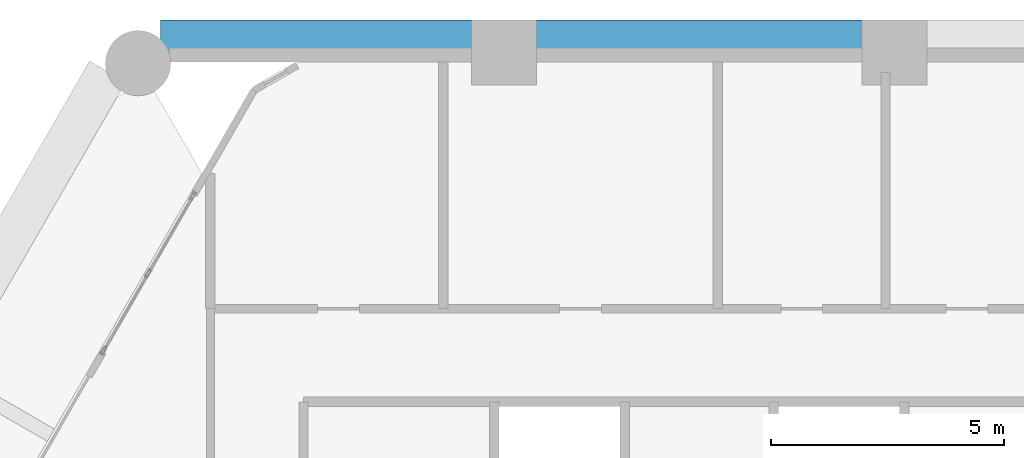
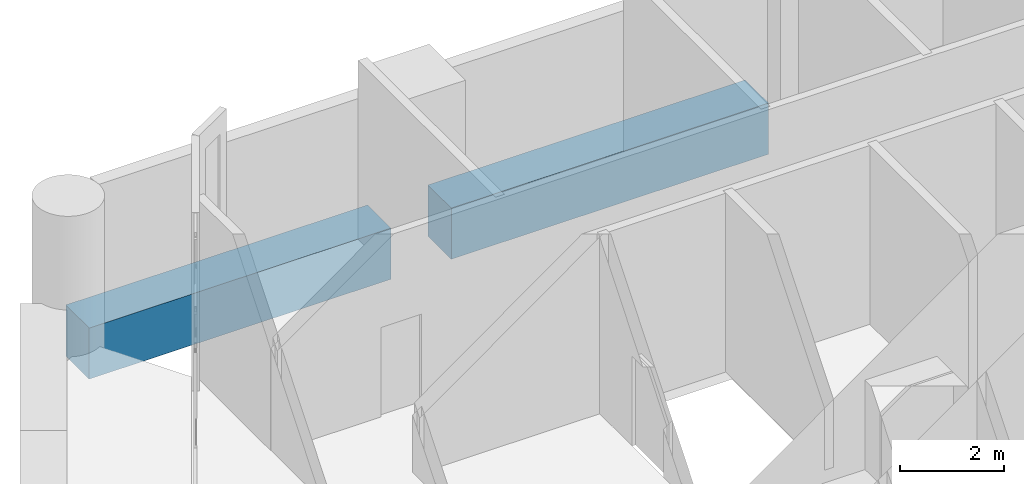
# One storey, part 10 of 18: 2 beams.
"""IFC4 building model written with IfcOpenShell, lengths in metres."""

from ifc_helpers import new_model, si_unit, direction, frame, origin, origin_2d, place, context, subcontext, project, spatial, rectangle, extrude, material, material_profile, profile_set, type_object, element, save


model = new_model("IFC4")

# Units and contexts
model_context = context("Model", 3, precision=1e-05, world=origin(), true_north=direction((0.0, 1.0)))
body_context = subcontext(model_context, "Body", "Model", "MODEL_VIEW")
ifc_project = project(units=[si_unit("LENGTHUNIT", "METRE"), si_unit("AREAUNIT", "SQUARE_METRE"), si_unit("VOLUMEUNIT", "CUBIC_METRE"), si_unit("PLANEANGLEUNIT", "RADIAN"), si_unit("MASSUNIT", "GRAM", prefix="KILO")], contexts=[model_context])

# Site, building, storey
site_placement = place(None, origin())
site = spatial("IfcSite", under=ifc_project, at=site_placement, CompositionType="ELEMENT")
building_placement = place(site_placement, origin())
building = spatial("IfcBuilding", under=site, at=building_placement, Name="Ostrander Bayou Hotel Tower", CompositionType="ELEMENT")
storey_placement = place(building_placement, frame((0.0, 0.0, 14.5)))
storey = spatial("IfcBuildingStorey", under=building, at=storey_placement, Name="L03", CompositionType="ELEMENT", Elevation=14.5)

# Beams
ifc_material = material(Name="Concrete f'c 70 MPa", Category="concrete")
ifc_material_profile = material_profile(ifc_material, rectangle(XDim=0.89990234375, YDim=1.199951171875, at=origin_2d()))
ifc_profile_set = profile_set([ifc_material_profile], Name="Concrete f'c 70 MPa")
beam_type = type_object("IfcBeamType", Name="SP1 spandrel beam 900 x 1200 mm f'c 70 MPa", PredefinedType="SPANDREL", material=ifc_profile_set)
beam_1_placement = place(storey_placement, frame((3.525390625, 21.35009765625, -0.60009765625), z_axis=(-1.0, 0.0, 0.0), x_axis=(0.0, -1.0, 0.0)))
element("IfcBeam", 1, at=beam_1_placement, inside=storey, type_object=beam_type, Name="SP1 L03 N-2", PredefinedType="SPANDREL", context=body_context, shape_type="SweptSolid", body=[
    extrude(rectangle(XDim=0.89990234375, YDim=1.199951171875, at=origin_2d()), origin(), (0.0, 0.0, 1.0), 7.05078125),
])
beam_2_placement = place(storey_placement, frame((-4.865478515625, 21.35009765625, -0.60009765625), z_axis=(-1.0, 0.0, 0.0), x_axis=(0.0, -1.0, 0.0)))
element("IfcBeam", 2, at=beam_2_placement, inside=storey, type_object=beam_type, Name="SP1 L03 N-3", PredefinedType="SPANDREL", context=body_context, shape_type="SweptSolid", body=[
    extrude(rectangle(XDim=0.89990234375, YDim=1.199951171875, at=origin_2d()), origin(), (0.0, 0.0, 1.0), 6.70361328125),
])

save(model, "model.ifc")
